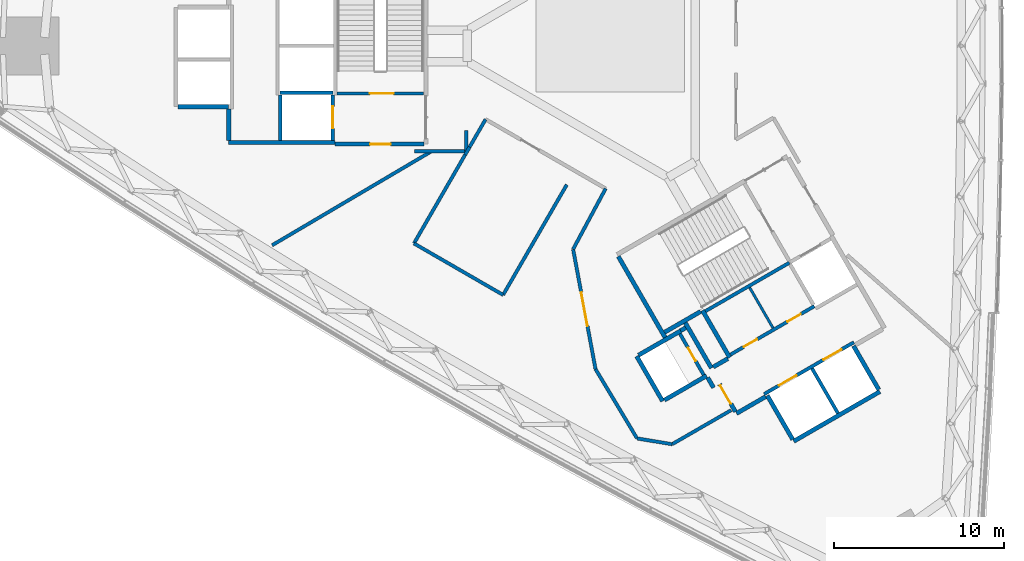
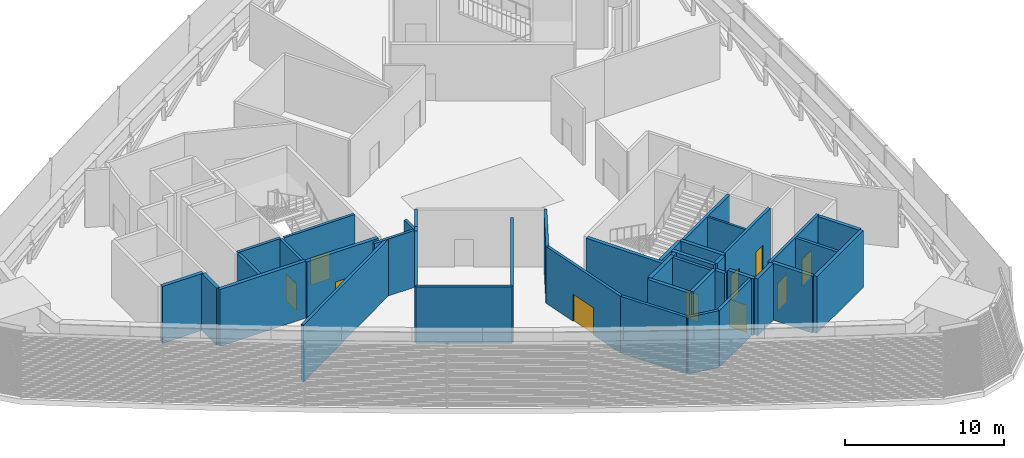
# One storey, part 12 of 19: 42 walls, 10 doors, 10 openings.
"""IFC4 building model written with IfcOpenShell, lengths in metres."""

from ifc_helpers import new_model, si_unit, direction, frame, frame_2d, origin, place, context, subcontext, project, spatial, rectangle, extrude, material, layer, layer_set, type_object, element, fill, save


model = new_model("IFC4")

# Units and contexts
model_context = context("Model", 3, precision=1e-05, world=origin(), true_north=direction((0.0, 1.0)))
body_context = subcontext(model_context, "Body", "Model", "MODEL_VIEW")
ifc_project = project(units=[si_unit("LENGTHUNIT", "METRE"), si_unit("AREAUNIT", "SQUARE_METRE"), si_unit("VOLUMEUNIT", "CUBIC_METRE"), si_unit("PLANEANGLEUNIT", "RADIAN"), si_unit("MASSUNIT", "GRAM", prefix="KILO")], contexts=[model_context])

# Site, building, storey
site_placement = place(None, origin())
site = spatial("IfcSite", under=ifc_project, at=site_placement, CompositionType="ELEMENT")
building_placement = place(site_placement, origin())
building = spatial("IfcBuilding", under=site, at=building_placement, Name="Tamra Quay Hotel Tower", CompositionType="ELEMENT")
storey_placement = place(building_placement, frame((0.0, 0.0, 74.60009765625)))
storey = spatial("IfcBuildingStorey", under=building, at=storey_placement, Name="L17", CompositionType="ELEMENT", Elevation=74.60009765625)

# Wall, opening, door
ifc_material_1 = material(Name="Concrete M70", Category="concrete")
ifc_layer_1 = layer(ifc_material_1, 0.199951171875)
ifc_layer_set_1 = layer_set([ifc_layer_1], Name="Concrete M70 core wall 200")
wall_type_1 = type_object("IfcWallType", Name="Concrete M70 core wall 200", PredefinedType="SHEAR", material=ifc_layer_set_1)
wall_1_placement = place(storey_placement, frame((-10.96337890625, -2.800048828125, 0.0), z_axis=(0.0, 0.0, 1.0), x_axis=(-1.0, 0.0, 0.0)))
wall_1 = element("IfcWall", 1, at=wall_1_placement, inside=storey, type_object=wall_type_1, Name="CW2", PredefinedType="SHEAR", context=body_context, shape_type="SweptSolid", body=[
    extrude(rectangle(XDim=5.097900390625, YDim=0.199951171875, at=frame_2d((2.548828125, 0.0))), origin(), (0.0, 0.0, 1.0), 4.375),
])
opening_1_placement = place(wall_1_placement, frame((1.77392578125, 0.0, 0.0)))
opening_1 = element("IfcOpeningElement", 2, at=opening_1_placement, cuts=wall_1, Name="Opening FD2", PredefinedType="OPENING", context=body_context, shape_type="SweptSolid", body=[
    extrude(rectangle(XDim=1.39990234375, YDim=2.10009765625, at=frame_2d((0.699951171875, 1.050048828125))), frame((0.0, 0.10986328125, 0.0), z_axis=(0.0, -1.0, 0.0), x_axis=(1.0, 0.0, 0.0)), (0.0, 0.0, 1.0), 0.219970703125),
])
ifc_material_2 = material(Name="Core door FD2 1400x2100 LH")
door_type_1 = type_object("IfcDoorType", Name="Core door FD2 1400x2100 LH", OperationType="NOTDEFINED", PredefinedType="DOOR", material=ifc_material_2)
door_1_placement = place(opening_1_placement, origin())
door_1 = element("IfcDoor", 3, at=door_1_placement, inside=storey, type_object=door_type_1, Name="FD2", OperationType="SINGLE_SWING_LEFT", OverallHeight=2.10009765625, OverallWidth=1.39990234375, PredefinedType="DOOR", context=body_context, shape_type="SweptSolid", body=[
    extrude(rectangle(XDim=1.39990234375, YDim=2.10009765625, at=frame_2d((0.699951171875, 1.050048828125))), frame((0.0, 0.02490234375, 0.0), z_axis=(0.0, -1.0, 0.0), x_axis=(1.0, 0.0, 0.0)), (0.0, 0.0, 1.0), 0.050048828125),
])
fill(opening_1, door_1)

# Wall
wall_2_placement = place(storey_placement, frame((-19.412353515625, -2.75, 0.0), z_axis=(0.0, 0.0, 1.0), x_axis=(1.0, 0.0, 0.0)))
element("IfcWall", 4, at=wall_2_placement, inside=storey, type_object=wall_type_1, Name="CW2", PredefinedType="SHEAR", context=body_context, shape_type="SweptSolid", body=[
    extrude(rectangle(XDim=3.10009765625, YDim=0.199951171875, at=frame_2d((1.550048828125, 0.0))), origin(), (0.0, 0.0, 1.0), 4.375),
])

# Wall, opening, door
wall_3_placement = place(storey_placement, frame((-16.312255859375, -2.898193359375, 0.0), z_axis=(0.0, 0.0, 1.0), x_axis=(0.0, -1.0, 0.0)))
wall_3 = element("IfcWall", 5, at=wall_3_placement, inside=storey, type_object=wall_type_1, Name="CW2", PredefinedType="SHEAR", context=body_context, shape_type="SweptSolid", body=[
    extrude(rectangle(XDim=2.65087890625, YDim=0.199951171875, at=frame_2d((1.325439453125, 0.0))), origin(), (0.0, 0.0, 1.0), 4.375),
])
opening_2_placement = place(wall_3_placement, frame((0.65185546875, 0.0, 0.0)))
opening_2 = element("IfcOpeningElement", 6, at=opening_2_placement, cuts=wall_3, Name="Opening LD", PredefinedType="OPENING", context=body_context, shape_type="SweptSolid", body=[
    extrude(rectangle(XDim=1.300048828125, YDim=2.10009765625, at=frame_2d((0.64990234375, 1.050048828125))), frame((0.0, 0.10986328125, 0.0), z_axis=(0.0, -1.0, 0.0), x_axis=(1.0, 0.0, 0.0)), (0.0, 0.0, 1.0), 0.219970703125),
])
ifc_material_3 = material(Name="Landing door LD 1300 sliding to left")
door_type_2 = type_object("IfcDoorType", Name="Landing door LD 1300 sliding to left", OperationType="NOTDEFINED", PredefinedType="DOOR", material=ifc_material_3)
door_2_placement = place(opening_2_placement, origin())
door_2 = element("IfcDoor", 7, at=door_2_placement, inside=storey, type_object=door_type_2, Name="LD", OperationType="SLIDING_TO_LEFT", OverallHeight=2.10009765625, OverallWidth=1.300048828125, PredefinedType="DOOR", context=body_context, shape_type="SweptSolid", body=[
    extrude(rectangle(XDim=1.300048828125, YDim=2.10009765625, at=frame_2d((0.64990234375, 1.050048828125))), frame((0.0, 0.02490234375, 0.0), z_axis=(0.0, -1.0, 0.0), x_axis=(1.0, 0.0, 0.0)), (0.0, 0.0, 1.0), 0.050048828125),
])
fill(opening_2, door_2)

# Wall
wall_4_placement = place(storey_placement, frame((-19.412353515625, -5.549072265625, 0.0), z_axis=(0.0, 0.0, 1.0), x_axis=(0.0, 1.0, 0.0)))
element("IfcWall", 8, at=wall_4_placement, inside=storey, type_object=wall_type_1, Name="CW2", PredefinedType="SHEAR", context=body_context, shape_type="SweptSolid", body=[
    extrude(rectangle(XDim=2.65087890625, YDim=0.199951171875, at=frame_2d((1.325439453125, 0.0))), origin(), (0.0, 0.0, 1.0), 4.375),
])

# Wall, openings, doors
wall_5_placement = place(storey_placement, frame((9.052490234375, -20.479736328125, 0.0), z_axis=(0.0, 0.0, 1.0), x_axis=(0.866030299012, 0.499991521122, 0.0)))
wall_5 = element("IfcWall", 9, at=wall_5_placement, inside=storey, type_object=wall_type_1, Name="CW2", PredefinedType="SHEAR", context=body_context, shape_type="SweptSolid", body=[
    extrude(rectangle(XDim=6.10009765625, YDim=0.199951171875, at=frame_2d((3.050048828125, 0.0))), origin(), (0.0, 0.0, 1.0), 4.375),
])
opening_3_placement = place(wall_5_placement, frame((1.0, 0.0, 0.0)))
opening_3 = element("IfcOpeningElement", 10, at=opening_3_placement, cuts=wall_5, Name="Opening LD", PredefinedType="OPENING", context=body_context, shape_type="SweptSolid", body=[
    extrude(rectangle(XDim=1.199951171875, YDim=2.10009765625, at=frame_2d((0.60009765625, 1.050048828125))), frame((0.0, 0.10986328125, 0.0), z_axis=(0.0, -1.0, 0.0), x_axis=(1.0, 0.0, 0.0)), (0.0, 0.0, 1.0), 0.219970703125),
])
opening_4_placement = place(wall_5_placement, frame((4.05029296875, 0.0, 0.0)))
opening_4 = element("IfcOpeningElement", 11, at=opening_4_placement, cuts=wall_5, Name="Opening LD", PredefinedType="OPENING", context=body_context, shape_type="SweptSolid", body=[
    extrude(rectangle(XDim=1.199951171875, YDim=2.10009765625, at=frame_2d((0.60009765625, 1.050048828125))), frame((0.0, 0.10986328125, 0.0), z_axis=(0.0, -1.0, 0.0), x_axis=(1.0, 0.0, 0.0)), (0.0, 0.0, 1.0), 0.219970703125),
])
ifc_material_4 = material(Name="Landing door LD 1200 double door sliding")
door_type_3 = type_object("IfcDoorType", Name="Landing door LD 1200 double door sliding", OperationType="DOUBLE_DOOR_SLIDING", PredefinedType="DOOR", material=ifc_material_4)
door_3_placement = place(opening_3_placement, origin())
door_3 = element("IfcDoor", 12, at=door_3_placement, inside=storey, type_object=door_type_3, Name="LD", OperationType="DOUBLE_DOOR_SLIDING", OverallHeight=2.10009765625, OverallWidth=1.199951171875, PredefinedType="DOOR", context=body_context, shape_type="SweptSolid", body=[
    extrude(rectangle(XDim=1.199951171875, YDim=2.10009765625, at=frame_2d((0.60009765625, 1.050048828125))), frame((0.0, 0.02490234375, 0.0), z_axis=(0.0, -1.0, 0.0), x_axis=(1.0, 0.0, 0.0)), (0.0, 0.0, 1.0), 0.050048828125),
])
fill(opening_3, door_3)
door_4_placement = place(opening_4_placement, origin())
door_4 = element("IfcDoor", 13, at=door_4_placement, inside=storey, type_object=door_type_3, Name="LD", OperationType="DOUBLE_DOOR_SLIDING", OverallHeight=2.10009765625, OverallWidth=1.199951171875, PredefinedType="DOOR", context=body_context, shape_type="SweptSolid", body=[
    extrude(rectangle(XDim=1.199951171875, YDim=2.10009765625, at=frame_2d((0.60009765625, 1.050048828125))), frame((0.0, 0.02490234375, 0.0), z_axis=(0.0, -1.0, 0.0), x_axis=(1.0, 0.0, 0.0)), (0.0, 0.0, 1.0), 0.050048828125),
])
fill(opening_4, door_4)

# Wall
wall_6_placement = place(storey_placement, frame((10.537841796875, -12.751953125, 0.0), z_axis=(0.0, 0.0, 1.0), x_axis=(-0.866038630372, -0.499977090179, 0.0)))
element("IfcWall", 14, at=wall_6_placement, inside=storey, type_object=wall_type_1, Name="CW2", PredefinedType="SHEAR", context=body_context, shape_type="SweptSolid", body=[
    extrude(rectangle(XDim=5.698974609375, YDim=0.199951171875, at=frame_2d((2.849609375, 0.0))), origin(), (0.0, 0.0, 1.0), 4.375),
])

# Wall, openings, doors
wall_7_placement = place(storey_placement, frame((7.0771484375, -18.156005859375, 0.0), z_axis=(0.0, 0.0, 1.0), x_axis=(0.866038630372, 0.499977090179, 0.0)))
wall_7 = element("IfcWall", 15, at=wall_7_placement, inside=storey, type_object=wall_type_1, Name="CW2", PredefinedType="SHEAR", context=body_context, shape_type="SweptSolid", body=[
    extrude(rectangle(XDim=5.698974609375, YDim=0.199951171875, at=frame_2d((2.849609375, 0.0))), origin(), (0.0, 0.0, 1.0), 4.375),
])
opening_5_placement = place(wall_7_placement, frame((0.89892578125, 0.0, 0.0)))
opening_5 = element("IfcOpeningElement", 16, at=opening_5_placement, cuts=wall_7, Name="Opening D2", PredefinedType="OPENING", context=body_context, shape_type="SweptSolid", body=[
    extrude(rectangle(XDim=0.89990234375, YDim=2.10009765625, at=frame_2d((0.449951171875, 1.050048828125))), frame((0.0, 0.10986328125, 0.0), z_axis=(0.0, -1.0, 0.0), x_axis=(1.0, 0.0, 0.0)), (0.0, 0.0, 1.0), 0.219970703125),
])
opening_6_placement = place(wall_7_placement, frame((3.8740234375, 0.0, 0.0)))
opening_6 = element("IfcOpeningElement", 17, at=opening_6_placement, cuts=wall_7, Name="Opening D2", PredefinedType="OPENING", context=body_context, shape_type="SweptSolid", body=[
    extrude(rectangle(XDim=0.89990234375, YDim=2.10009765625, at=frame_2d((0.449951171875, 1.050048828125))), frame((0.0, 0.10986328125, 0.0), z_axis=(0.0, -1.0, 0.0), x_axis=(1.0, 0.0, 0.0)), (0.0, 0.0, 1.0), 0.219970703125),
])
ifc_material_5 = material(Name="Core door D2 900x2100 LH")
door_type_4 = type_object("IfcDoorType", Name="Core door D2 900x2100 LH", OperationType="NOTDEFINED", PredefinedType="DOOR", material=ifc_material_5)
door_5_placement = place(opening_5_placement, origin())
door_5 = element("IfcDoor", 18, at=door_5_placement, inside=storey, type_object=door_type_4, Name="D2", OperationType="SINGLE_SWING_LEFT", OverallHeight=2.10009765625, OverallWidth=0.89990234375, PredefinedType="DOOR", context=body_context, shape_type="SweptSolid", body=[
    extrude(rectangle(XDim=0.89990234375, YDim=2.10009765625, at=frame_2d((0.449951171875, 1.050048828125))), frame((0.0, 0.02490234375, 0.0), z_axis=(0.0, -1.0, 0.0), x_axis=(1.0, 0.0, 0.0)), (0.0, 0.0, 1.0), 0.050048828125),
])
fill(opening_5, door_5)
ifc_material_6 = material(Name="Core door D2 900x2100 RH")
door_type_5 = type_object("IfcDoorType", Name="Core door D2 900x2100 RH", OperationType="NOTDEFINED", PredefinedType="DOOR", material=ifc_material_6)
door_6_placement = place(opening_6_placement, origin())
door_6 = element("IfcDoor", 19, at=door_6_placement, inside=storey, type_object=door_type_5, Name="D2", OperationType="SINGLE_SWING_RIGHT", OverallHeight=2.10009765625, OverallWidth=0.89990234375, PredefinedType="DOOR", context=body_context, shape_type="SweptSolid", body=[
    extrude(rectangle(XDim=0.89990234375, YDim=2.10009765625, at=frame_2d((0.449951171875, 1.050048828125))), frame((0.0, 0.02490234375, 0.0), z_axis=(0.0, -1.0, 0.0), x_axis=(1.0, 0.0, 0.0)), (0.0, 0.0, 1.0), 0.050048828125),
])
fill(opening_6, door_6)

# Wall
wall_8_placement = place(storey_placement, frame((11.87451171875, -18.967041015625, 0.0), z_axis=(0.0, 0.0, 1.0), x_axis=(0.49998131003, -0.866036194175, 0.0)))
element("IfcWall", 20, at=wall_8_placement, inside=storey, type_object=wall_type_1, Name="CW2", PredefinedType="SHEAR", context=body_context, shape_type="SweptSolid", body=[
    extrude(rectangle(XDim=3.0478515625, YDim=0.199951171875, at=frame_2d((1.52392578125, 0.0))), origin(), (0.0, 0.0, 1.0), 4.375),
])

# Wall, opening, door
wall_9_placement = place(storey_placement, frame((5.50341796875, -19.352294921875, 0.0), z_axis=(0.0, 0.0, 1.0), x_axis=(-0.499986818241, 0.866033014143, 0.0)))
wall_9 = element("IfcWall", 21, at=wall_9_placement, inside=storey, type_object=wall_type_1, Name="CW2", PredefinedType="SHEAR", context=body_context, shape_type="SweptSolid", body=[
    extrude(rectangle(XDim=2.7978515625, YDim=0.199951171875, at=frame_2d((1.39892578125, 0.0))), origin(), (0.0, 0.0, 1.0), 4.375),
])
opening_7_placement = place(wall_9_placement, frame((0.948974609375, 0.0, 0.0)))
opening_7 = element("IfcOpeningElement", 22, at=opening_7_placement, cuts=wall_9, Name="Opening D1", PredefinedType="OPENING", context=body_context, shape_type="SweptSolid", body=[
    extrude(rectangle(XDim=0.89990234375, YDim=2.10009765625, at=frame_2d((0.449951171875, 1.050048828125))), frame((0.0, 0.10986328125, 0.0), z_axis=(0.0, -1.0, 0.0), x_axis=(1.0, 0.0, 0.0)), (0.0, 0.0, 1.0), 0.219970703125),
])
ifc_material_7 = material(Name="Core door D1 900x2100 LH")
door_type_6 = type_object("IfcDoorType", Name="Core door D1 900x2100 LH", OperationType="NOTDEFINED", PredefinedType="DOOR", material=ifc_material_7)
door_7_placement = place(opening_7_placement, origin())
door_7 = element("IfcDoor", 23, at=door_7_placement, inside=storey, type_object=door_type_6, Name="D1", OperationType="SINGLE_SWING_LEFT", OverallHeight=2.10009765625, OverallWidth=0.89990234375, PredefinedType="DOOR", context=body_context, shape_type="SweptSolid", body=[
    extrude(rectangle(XDim=0.89990234375, YDim=2.10009765625, at=frame_2d((0.449951171875, 1.050048828125))), frame((0.0, 0.02490234375, 0.0), z_axis=(0.0, -1.0, 0.0), x_axis=(1.0, 0.0, 0.0)), (0.0, 0.0, 1.0), 0.050048828125),
])
fill(opening_7, door_7)

# Wall
ifc_layer_2 = layer(ifc_material_1, 0.25)
ifc_layer_set_2 = layer_set([ifc_layer_2], Name="Concrete M70 core wall 250")
wall_type_2 = type_object("IfcWallType", Name="Concrete M70 core wall 250", PredefinedType="SHEAR", material=ifc_layer_set_2)
wall_10_placement = place(storey_placement, frame((-16.187255859375, -5.675048828125, 0.0), z_axis=(0.0, 0.0, 1.0), x_axis=(-1.0, 0.0, 0.0)))
element("IfcWall", 24, at=wall_10_placement, inside=storey, type_object=wall_type_2, Name="CW1", PredefinedType="SHEAR", context=body_context, shape_type="SweptSolid", body=[
    extrude(rectangle(XDim=6.25, YDim=0.25, at=frame_2d((3.125, 0.0))), origin(), (0.0, 0.0, 1.0), 4.375),
])

# Wall, opening, door
wall_11_placement = place(storey_placement, frame((-10.962646484375, -5.77490234375, 0.0), z_axis=(0.0, 0.0, 1.0), x_axis=(-1.0, 0.0, 0.0)))
wall_11 = element("IfcWall", 25, at=wall_11_placement, inside=storey, type_object=wall_type_2, Name="CW1", PredefinedType="SHEAR", context=body_context, shape_type="SweptSolid", body=[
    extrude(rectangle(XDim=5.224609375, YDim=0.25, at=frame_2d((2.6123046875, 0.0))), origin(), (0.0, 0.0, 1.0), 4.375),
])
opening_8_placement = place(wall_11_placement, frame((1.94970703125, 0.0, 0.0)))
opening_8 = element("IfcOpeningElement", 26, at=opening_8_placement, cuts=wall_11, Name="Opening D2", PredefinedType="OPENING", context=body_context, shape_type="SweptSolid", body=[
    extrude(rectangle(XDim=1.199951171875, YDim=2.10009765625, at=frame_2d((0.60009765625, 1.050048828125))), frame((0.0, 0.135009765625, 0.0), z_axis=(0.0, -1.0, 0.0), x_axis=(1.0, 0.0, 0.0)), (0.0, 0.0, 1.0), 0.27001953125),
])
ifc_material_8 = material(Name="Core door D2 1200x2100 RH")
door_type_7 = type_object("IfcDoorType", Name="Core door D2 1200x2100 RH", OperationType="NOTDEFINED", PredefinedType="DOOR", material=ifc_material_8)
door_8_placement = place(opening_8_placement, origin())
door_8 = element("IfcDoor", 27, at=door_8_placement, inside=storey, type_object=door_type_7, Name="D2", OperationType="SINGLE_SWING_RIGHT", OverallHeight=2.10009765625, OverallWidth=1.199951171875, PredefinedType="DOOR", context=body_context, shape_type="SweptSolid", body=[
    extrude(rectangle(XDim=1.199951171875, YDim=2.10009765625, at=frame_2d((0.60009765625, 1.050048828125))), frame((0.0, 0.02490234375, 0.0), z_axis=(0.0, -1.0, 0.0), x_axis=(1.0, 0.0, 0.0)), (0.0, 0.0, 1.0), 0.050048828125),
])
fill(opening_8, door_8)

# Walls
wall_12_placement = place(storey_placement, frame((-22.437255859375, -3.574951171875, 0.0), z_axis=(0.0, 0.0, 1.0), x_axis=(-1.0, 0.0, 0.0)))
element("IfcWall", 28, at=wall_12_placement, inside=storey, type_object=wall_type_2, Name="CW1", PredefinedType="SHEAR", context=body_context, shape_type="SweptSolid", body=[
    extrude(rectangle(XDim=2.974609375, YDim=0.25, at=frame_2d((1.4873046875, 0.0))), origin(), (0.0, 0.0, 1.0), 4.375),
])
wall_13_placement = place(storey_placement, frame((-22.437255859375, -5.549560546875, 0.0), z_axis=(0.0, 0.0, 1.0), x_axis=(0.0, 1.0, 0.0)))
element("IfcWall", 29, at=wall_13_placement, inside=storey, type_object=wall_type_2, Name="CW1", PredefinedType="SHEAR", context=body_context, shape_type="SweptSolid", body=[
    extrude(rectangle(XDim=1.84912109375, YDim=0.25, at=frame_2d((0.924560546875, 0.0))), origin(), (0.0, 0.0, 1.0), 4.375),
])
wall_14_placement = place(storey_placement, frame((15.86474609375, -20.328369140625, 0.0), z_axis=(0.0, 0.0, 1.0), x_axis=(-0.86602852612, -0.499994591916, 0.0)))
element("IfcWall", 30, at=wall_14_placement, inside=storey, type_object=wall_type_2, Name="CW1", PredefinedType="SHEAR", context=body_context, shape_type="SweptSolid", body=[
    extrude(rectangle(XDim=5.85009765625, YDim=0.25, at=frame_2d((2.925048828125, 0.0))), origin(), (0.0, 0.0, 1.0), 4.375),
])
wall_15_placement = place(storey_placement, frame((3.23486328125, -17.15283203125, 0.0), z_axis=(0.0, 0.0, 1.0), x_axis=(-0.500008851346, 0.866020293397, 0.0)))
element("IfcWall", 31, at=wall_15_placement, inside=storey, type_object=wall_type_2, Name="CW1", PredefinedType="SHEAR", context=body_context, shape_type="SweptSolid", body=[
    extrude(rectangle(XDim=5.509765625, YDim=0.25, at=frame_2d((2.7548828125, 0.0))), origin(), (0.0, 0.0, 1.0), 4.375),
])
wall_16_placement = place(storey_placement, frame((7.030517578125, -18.327392578125, 0.0), z_axis=(0.0, 0.0, 1.0), x_axis=(-0.499971222258, 0.866042017984, 0.0)))
element("IfcWall", 32, at=wall_16_placement, inside=storey, type_object=wall_type_2, Name="CW1", PredefinedType="SHEAR", context=body_context, shape_type="SweptSolid", body=[
    extrude(rectangle(XDim=3.199951171875, YDim=0.25, at=frame_2d((1.60009765625, 0.0))), origin(), (0.0, 0.0, 1.0), 4.375),
])
for number, where, z_axis, x_axis, name in (
    (33, (14.314697265625, -17.643798828125, 0.0), (0.0, 0.0, 1.0), (0.500023226632, -0.866011993467, 0.0), "CW1"),
    (34, (10.73583984375, -23.144775390625, 0.0), (0.0, 0.0, 1.0), (-0.500023226632, 0.866011993467, 0.0), "CW1"),
):
    element("IfcWall", number, at=place(storey_placement, frame(where, z_axis=z_axis, x_axis=x_axis)), inside=storey, type_object=wall_type_2, Name=name, PredefinedType="SHEAR", context=body_context, shape_type="SweptSolid", body=[
        extrude(rectangle(XDim=2.974365234375, YDim=0.25, at=frame_2d((1.4873046875, 0.0))), origin(), (0.0, 0.0, 1.0), 4.375),
    ])
wall_17_placement = place(storey_placement, frame((3.085205078125, -20.893798828125, 0.0), z_axis=(0.0, 0.0, 1.0), x_axis=(-0.499978833458, 0.866037623948, 0.0)))
element("IfcWall", 35, at=wall_17_placement, inside=storey, type_object=wall_type_2, Name="CW1", PredefinedType="SHEAR", context=body_context, shape_type="SweptSolid", body=[
    extrude(rectangle(XDim=3.050048828125, YDim=0.25, at=frame_2d((1.52490234375, 0.0))), origin(), (0.0, 0.0, 1.0), 4.375),
])
wall_18_placement = place(storey_placement, frame((1.6689453125, -18.189697265625, 0.0), z_axis=(0.0, 0.0, 1.0), x_axis=(0.866042235819, 0.499970844928, 0.0)))
element("IfcWall", 36, at=wall_18_placement, inside=storey, type_object=wall_type_2, Name="CW1", PredefinedType="SHEAR", context=body_context, shape_type="SweptSolid", body=[
    extrude(rectangle(XDim=2.864501953125, YDim=0.25, at=frame_2d((1.43212890625, 0.0))), origin(), (0.0, 0.0, 1.0), 4.375),
])
wall_19_placement = place(storey_placement, frame((5.6748046875, -19.39892578125, 0.0), z_axis=(0.0, 0.0, 1.0), x_axis=(-0.866026637627, -0.499997862916, 0.0)))
element("IfcWall", 37, at=wall_19_placement, inside=storey, type_object=wall_type_2, Name="CW1", PredefinedType="SHEAR", context=body_context, shape_type="SweptSolid", body=[
    extrude(rectangle(XDim=2.86474609375, YDim=0.25, at=frame_2d((1.432373046875, 0.0))), origin(), (0.0, 0.0, 1.0), 4.375),
])
wall_20_placement = place(storey_placement, frame((4.414306640625, -16.275634765625, 0.0), z_axis=(0.0, 0.0, 1.0), x_axis=(0.500003324108, -0.866023484601, 0.0)))
element("IfcWall", 38, at=wall_20_placement, inside=storey, type_object=wall_type_2, Name="CW1", PredefinedType="SHEAR", context=body_context, shape_type="SweptSolid", body=[
    extrude(rectangle(XDim=3.0849609375, YDim=0.25, at=frame_2d((1.54248046875, 0.0))), origin(), (0.0, 0.0, 1.0), 4.375),
])
wall_21_placement = place(storey_placement, frame((5.322021484375, -15.618896484375, 0.0), z_axis=(0.0, 0.0, 1.0), x_axis=(-0.866026229868, -0.499998569178, 0.0)))
element("IfcWall", 39, at=wall_21_placement, inside=storey, type_object=wall_type_2, Name="CW1", PredefinedType="SHEAR", context=body_context, shape_type="SweptSolid", body=[
    extrude(rectangle(XDim=2.44921875, YDim=0.25, at=frame_2d((1.224609375, 0.0))), origin(), (0.0, 0.0, 1.0), 4.375),
])
wall_22_placement = place(storey_placement, frame((9.139892578125, -20.63134765625, 0.0), z_axis=(0.0, 0.0, 1.0), x_axis=(-0.866043531843, -0.499968599967, 0.0)))
element("IfcWall", 40, at=wall_22_placement, inside=storey, type_object=wall_type_2, Name="CW1", PredefinedType="SHEAR", context=body_context, shape_type="SweptSolid", body=[
    extrude(rectangle(XDim=1.974853515625, YDim=0.25, at=frame_2d((0.9873046875, 0.0))), origin(), (0.0, 0.0, 1.0), 4.375),
])

# Wall, opening, door
wall_23_placement = place(storey_placement, frame((7.3671875, -21.51025390625, 0.0), z_axis=(0.0, 0.0, 1.0), x_axis=(-0.499983108224, 0.866035156036, 0.0)))
wall_23 = element("IfcWall", 41, at=wall_23_placement, inside=storey, type_object=wall_type_2, Name="CW1", PredefinedType="SHEAR", context=body_context, shape_type="SweptSolid", body=[
    extrude(rectangle(XDim=1.86474609375, YDim=0.25, at=frame_2d((0.932373046875, 0.0))), origin(), (0.0, 0.0, 1.0), 4.375),
])
opening_9_placement = place(wall_23_placement, frame((0.53466796875, 0.0, 0.0)))
opening_9 = element("IfcOpeningElement", 42, at=opening_9_placement, cuts=wall_23, Name="Opening FD3", PredefinedType="OPENING", context=body_context, shape_type="SweptSolid", body=[
    extrude(rectangle(XDim=1.25, YDim=2.10009765625, at=frame_2d((0.625, 1.050048828125))), frame((0.0, 0.135009765625, 0.0), z_axis=(0.0, -1.0, 0.0), x_axis=(1.0, 0.0, 0.0)), (0.0, 0.0, 1.0), 0.27001953125),
])
ifc_material_9 = material(Name="Core door FD3 1250x2100 LH")
door_type_8 = type_object("IfcDoorType", Name="Core door FD3 1250x2100 LH", OperationType="NOTDEFINED", PredefinedType="DOOR", material=ifc_material_9)
door_9_placement = place(opening_9_placement, origin())
door_9 = element("IfcDoor", 43, at=door_9_placement, inside=storey, type_object=door_type_8, Name="FD3", OperationType="SINGLE_SWING_LEFT", OverallHeight=2.10009765625, OverallWidth=1.25, PredefinedType="DOOR", context=body_context, shape_type="SweptSolid", body=[
    extrude(rectangle(XDim=1.25, YDim=2.10009765625, at=frame_2d((0.625, 1.050048828125))), frame((0.0, 0.02490234375, 0.0), z_axis=(0.0, -1.0, 0.0), x_axis=(1.0, 0.0, 0.0)), (0.0, 0.0, 1.0), 0.050048828125),
])
fill(opening_9, door_9)

# Walls
wall_24_placement = place(storey_placement, frame((6.0654296875, -18.884765625, 0.0), z_axis=(0.0, 0.0, 1.0), x_axis=(0.866017078145, 0.500014420154, 0.0)))
element("IfcWall", 44, at=wall_24_placement, inside=storey, type_object=wall_type_2, Name="CW1", PredefinedType="SHEAR", context=body_context, shape_type="SweptSolid", body=[
    extrude(rectangle(XDim=0.9892578125, YDim=0.25, at=frame_2d((0.49462890625, 0.0))), origin(), (0.0, 0.0, 1.0), 4.375),
])
wall_25_placement = place(storey_placement, frame((6.07958984375, -20.100341796875, 0.0), z_axis=(0.0, 0.0, 1.0), x_axis=(-0.500051773299, 0.865995510393, 0.0)))
element("IfcWall", 45, at=wall_25_placement, inside=storey, type_object=wall_type_2, Name="CW1", PredefinedType="SHEAR", context=body_context, shape_type="SweptSolid", body=[
    extrude(rectangle(XDim=0.6845703125, YDim=0.25, at=frame_2d((0.34228515625, 0.0))), origin(), (0.0, 0.0, 1.0), 4.375),
])
wall_26_placement = place(storey_placement, frame((4.144775390625, -16.748779296875, 0.0), z_axis=(0.0, 0.0, 1.0), x_axis=(0.866185586049, 0.49972245349, 0.0)))
element("IfcWall", 46, at=wall_26_placement, inside=storey, type_object=wall_type_2, Name="CW1", PredefinedType="SHEAR", context=body_context, shape_type="SweptSolid", body=[
    extrude(rectangle(XDim=0.344482421875, YDim=0.25, at=frame_2d((0.17236328125, 0.0))), origin(), (0.0, 0.0, 1.0), 4.375),
])
ifc_material_10 = material(Name="Blockwork", Category="masonry")
ifc_layer_3 = layer(ifc_material_10, 0.14990234375)
ifc_layer_set_3 = layer_set([ifc_layer_3], Name="Core partition block 150")
wall_type_3 = type_object("IfcWallType", Name="Core partition block 150", PredefinedType="PARTITIONING", material=ifc_layer_set_3)
wall_27_placement = place(storey_placement, frame((8.20654296875, -14.214111328125, 0.0), z_axis=(0.0, 0.0, 1.0), x_axis=(0.50002746344, -0.86600954718, 0.0)))
element("IfcWall", 47, at=wall_27_placement, inside=storey, type_object=wall_type_3, Name="CP1", PredefinedType="PARTITIONING", context=body_context, shape_type="SweptSolid", body=[
    extrude(rectangle(XDim=2.748291015625, YDim=0.14990234375, at=frame_2d((1.3740234375, 0.0))), origin(), (0.0, 0.0, 1.0), 4.375),
])
ifc_material_11 = material(Name="Partition corridor wall")
ifc_layer_4 = layer(ifc_material_11, 0.199951171875)
ifc_layer_set_4 = layer_set([ifc_layer_4], Name="Partition corridor wall")
wall_type_4 = type_object("IfcWallType", Name="Partition corridor wall", PredefinedType="PARTITIONING", material=ifc_layer_set_4)
wall_28_placement = place(storey_placement, frame((-11.5, -6.199951171875, 0.0), z_axis=(0.0, 0.0, 1.0), x_axis=(1.0, 0.0, 0.0)))
element("IfcWall", 48, at=wall_28_placement, inside=storey, type_object=wall_type_4, Name="W-C", PredefinedType="PARTITIONING", context=body_context, shape_type="SweptSolid", body=[
    extrude(rectangle(XDim=3.0380859375, YDim=0.199951171875, at=frame_2d((1.51904296875, 0.0))), origin(), (0.0, 0.0, 1.0), 4.375),
])
wall_29_placement = place(storey_placement, frame((-8.52490234375, -6.39990234375, 0.0), z_axis=(0.0, 0.0, 1.0), x_axis=(0.500486622847, 0.865744269604, 0.0)))
element("IfcWall", 49, at=wall_29_placement, inside=storey, type_object=wall_type_4, Name="W-C", PredefinedType="PARTITIONING", context=body_context, shape_type="SweptSolid", body=[
    extrude(rectangle(XDim=0.525390625, YDim=0.199951171875, at=frame_2d((0.2626953125, 0.0))), origin(), (0.0, 0.0, 1.0), 4.375),
])
wall_30_placement = place(storey_placement, frame((-8.4619140625, -6.199951171875, 0.0), z_axis=(0.0, 0.0, 1.0), x_axis=(0.0, 1.0, 0.0)))
element("IfcWall", 50, at=wall_30_placement, inside=storey, type_object=wall_type_4, Name="W-C", PredefinedType="PARTITIONING", context=body_context, shape_type="SweptSolid", body=[
    extrude(rectangle(XDim=1.223876953125, YDim=0.199951171875, at=frame_2d((0.61181640625, 0.0))), origin(), (0.0, 0.0, 1.0), 4.375),
])

# Wall, opening, door
wall_31_placement = place(storey_placement, frame((-2.177978515625, -11.955078125, 0.0), z_axis=(0.0, 0.0, 1.0), x_axis=(0.183797992457, -0.982964036966, 0.0)))
wall_31 = element("IfcWall", 51, at=wall_31_placement, inside=storey, type_object=wall_type_4, Name="W-C", PredefinedType="PARTITIONING", context=body_context, shape_type="SweptSolid", body=[
    extrude(rectangle(XDim=7.18212890625, YDim=0.199951171875, at=frame_2d((3.591064453125, 0.0))), origin(), (0.0, 0.0, 1.0), 4.375),
])
opening_10_placement = place(wall_31_placement, frame((2.591552734375, 0.0, 0.0)))
opening_10 = element("IfcOpeningElement", 52, at=opening_10_placement, cuts=wall_31, Name="Opening L17-D003", PredefinedType="OPENING", context=body_context, shape_type="SweptSolid", body=[
    extrude(rectangle(XDim=2.0, YDim=2.10009765625, at=frame_2d((1.0, 1.050048828125))), frame((0.0, 0.10986328125, 0.0), z_axis=(0.0, -1.0, 0.0), x_axis=(1.0, 0.0, 0.0)), (0.0, 0.0, 1.0), 0.219970703125),
])
ifc_material_12 = material(Name="Door double leaf 2000x2100")
door_type_9 = type_object("IfcDoorType", Name="Door double leaf 2000x2100", OperationType="DOUBLE_DOOR_SINGLE_SWING", PredefinedType="DOOR", material=ifc_material_12)
door_10_placement = place(opening_10_placement, frame((2.0, 0.0, 0.0), z_axis=(0.0, 0.0, 1.0), x_axis=(-1.0, 0.0, 0.0)))
door_10 = element("IfcDoor", 53, at=door_10_placement, inside=storey, type_object=door_type_9, Name="L17-D003", OperationType="DOUBLE_DOOR_SINGLE_SWING", OverallHeight=2.10009765625, OverallWidth=2.0, PredefinedType="DOOR", context=body_context, shape_type="SweptSolid", body=[
    extrude(rectangle(XDim=2.0, YDim=2.10009765625, at=frame_2d((1.0, 1.050048828125))), frame((0.0, 0.02490234375, 0.0), z_axis=(0.0, -1.0, 0.0), x_axis=(1.0, 0.0, 0.0)), (0.0, 0.0, 1.0), 0.050048828125),
])
fill(opening_10, door_10)

# Walls
wall_32_placement = place(storey_placement, frame((-2.177978515625, -11.955078125, 0.0), z_axis=(0.0, 0.0, 1.0), x_axis=(0.473055484912, 0.881032637417, 0.0)))
element("IfcWall", 54, at=wall_32_placement, inside=storey, type_object=wall_type_4, Name="W-C", PredefinedType="PARTITIONING", context=body_context, shape_type="SweptSolid", body=[
    extrude(rectangle(XDim=4.044189453125, YDim=0.199951171875, at=frame_2d((2.02197265625, 0.0))), origin(), (0.0, 0.0, 1.0), 4.375),
])
wall_33_placement = place(storey_placement, frame((-0.85791015625, -19.014892578125, 0.0), z_axis=(0.0, 0.0, 1.0), x_axis=(0.514382306928, -0.857560984606, 0.0)))
element("IfcWall", 55, at=wall_33_placement, inside=storey, type_object=wall_type_4, Name="W-C", PredefinedType="PARTITIONING", context=body_context, shape_type="SweptSolid", body=[
    extrude(rectangle(XDim=4.747314453125, YDim=0.199951171875, at=frame_2d((2.37353515625, 0.0))), origin(), (0.0, 0.0, 1.0), 4.375),
])
wall_34_placement = place(storey_placement, frame((1.583984375, -23.0859375, 0.0), z_axis=(0.0, 0.0, 1.0), x_axis=(0.986633159246, -0.162957077405, 0.0)))
element("IfcWall", 56, at=wall_34_placement, inside=storey, type_object=wall_type_4, Name="W-C", PredefinedType="PARTITIONING", context=body_context, shape_type="SweptSolid", body=[
    extrude(rectangle(XDim=2.0869140625, YDim=0.199951171875, at=frame_2d((1.04345703125, 0.0))), origin(), (0.0, 0.0, 1.0), 4.375),
])
wall_35_placement = place(storey_placement, frame((3.64306640625, -23.426025390625, 0.0), z_axis=(0.0, 0.0, 1.0), x_axis=(0.866448769737, 0.499265990652, 0.0)))
element("IfcWall", 57, at=wall_35_placement, inside=storey, type_object=wall_type_4, Name="W-C", PredefinedType="PARTITIONING", context=body_context, shape_type="SweptSolid", body=[
    extrude(rectangle(XDim=3.998046875, YDim=0.199951171875, at=frame_2d((1.9990234375, 0.0))), origin(), (0.0, 0.0, 1.0), 4.375),
])
ifc_material_13 = material(Name="Partition party wall")
ifc_layer_5 = layer(ifc_material_13, 0.199951171875)
ifc_layer_set_5 = layer_set([ifc_layer_5], Name="Partition party wall")
wall_type_5 = type_object("IfcWallType", Name="Partition party wall", PredefinedType="PARTITIONING", material=ifc_layer_set_5)
wall_36_placement = place(storey_placement, frame((-19.8798828125, -11.723388671875, 0.0), z_axis=(0.0, 0.0, 1.0), x_axis=(0.861365399283, 0.507985874722, 0.0)))
element("IfcWall", 58, at=wall_36_placement, inside=storey, type_object=wall_type_5, Name="W-P", PredefinedType="PARTITIONING", context=body_context, shape_type="SweptSolid", body=[
    extrude(rectangle(XDim=10.867431640625, YDim=0.199951171875, at=frame_2d((5.43359375, 0.0))), origin(), (0.0, 0.0, 1.0), 4.375),
])
wall_37_placement = place(storey_placement, frame((-11.5390625, -11.616943359375, 0.0), z_axis=(0.0, 0.0, 1.0), x_axis=(0.865958600731, -0.500115688437, 0.0)))
element("IfcWall", 59, at=wall_37_placement, inside=storey, type_object=wall_type_5, Name="W-P", PredefinedType="PARTITIONING", context=body_context, shape_type="SweptSolid", body=[
    extrude(rectangle(XDim=6.0546875, YDim=0.199951171875, at=frame_2d((3.02734375, 0.0))), origin(), (0.0, 0.0, 1.0), 4.375),
])
wall_38_placement = place(storey_placement, frame((-11.5390625, -11.616943359375, 0.0), z_axis=(0.0, 0.0, 1.0), x_axis=(0.499900175068, 0.866083030065, 0.0)))
element("IfcWall", 60, at=wall_38_placement, inside=storey, type_object=wall_type_5, Name="W-P", PredefinedType="PARTITIONING", context=body_context, shape_type="SweptSolid", body=[
    extrude(rectangle(XDim=6.025146484375, YDim=0.199951171875, at=frame_2d((3.0126953125, 0.0))), origin(), (0.0, 0.0, 1.0), 4.375),
])
wall_39_placement = place(storey_placement, frame((-8.264404296875, -5.943603515625, 0.0), z_axis=(0.0, 0.0, 1.0), x_axis=(0.49989542793, 0.86608577008, 0.0)))
element("IfcWall", 61, at=wall_39_placement, inside=storey, type_object=wall_type_5, Name="W-P", PredefinedType="PARTITIONING", context=body_context, shape_type="SweptSolid", body=[
    extrude(rectangle(XDim=1.87353515625, YDim=0.199951171875, at=frame_2d((0.936767578125, 0.0))), origin(), (0.0, 0.0, 1.0), 4.375),
])
wall_40_placement = place(storey_placement, frame((-6.2958984375, -14.64501953125, 0.0), z_axis=(0.0, 0.0, 1.0), x_axis=(0.500294438669, 0.865855342789, 0.0)))
element("IfcWall", 62, at=wall_40_placement, inside=storey, type_object=wall_type_5, Name="W-P", PredefinedType="PARTITIONING", context=body_context, shape_type="SweptSolid", body=[
    extrude(rectangle(XDim=7.4873046875, YDim=0.199951171875, at=frame_2d((3.74365234375, 0.0))), origin(), (0.0, 0.0, 1.0), 4.375),
])

save(model, "model.ifc")
